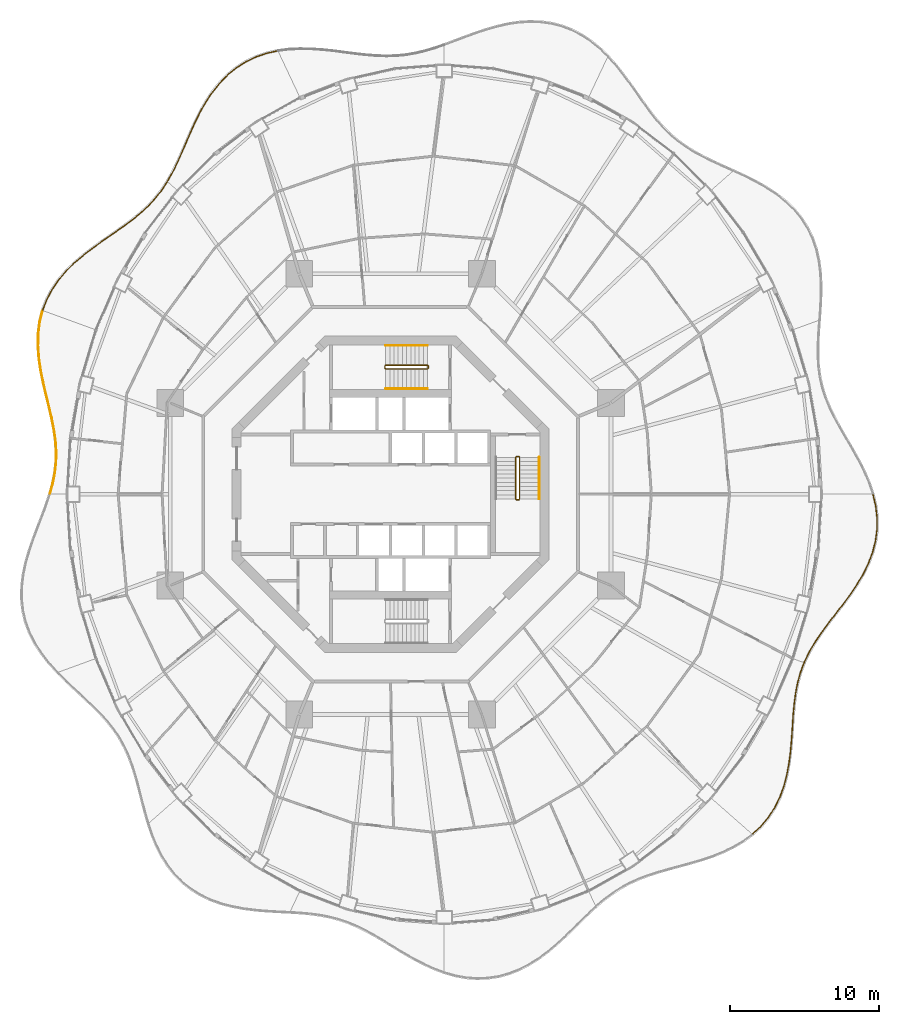
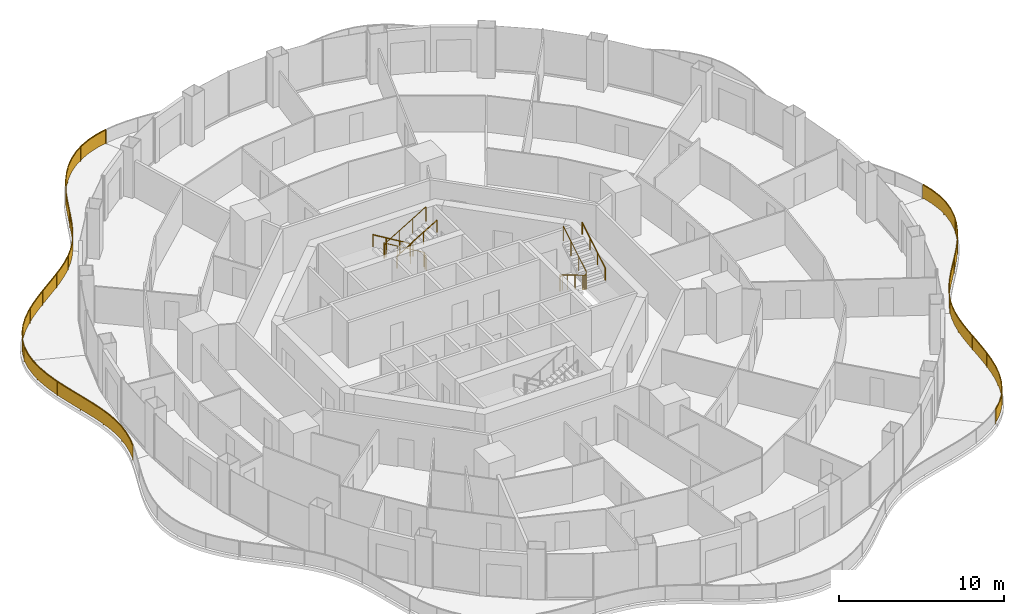
# One storey, part 18 of 19: 10 railings.
"""IFC4 building model written with IfcOpenShell, lengths in metres."""

from ifc_helpers import new_model, si_unit, direction, frame, origin, origin_2d, place, context, subcontext, project, spatial, polyline, rectangle, circle, outline, extrude, material, type_object, element, save


model = new_model("IFC4")

# Units and contexts
model_context = context("Model", 3, precision=1e-05, world=origin(), true_north=direction((0.0, 1.0)))
body_context = subcontext(model_context, "Body", "Model", "MODEL_VIEW")
ifc_project = project(units=[si_unit("LENGTHUNIT", "METRE"), si_unit("AREAUNIT", "SQUARE_METRE"), si_unit("VOLUMEUNIT", "CUBIC_METRE"), si_unit("PLANEANGLEUNIT", "RADIAN"), si_unit("MASSUNIT", "GRAM", prefix="KILO")], contexts=[model_context])

# Site, building, storey
site_placement = place(None, origin())
site = spatial("IfcSite", under=ifc_project, at=site_placement, CompositionType="ELEMENT")
building_placement = place(site_placement, origin())
building = spatial("IfcBuilding", under=site, at=building_placement, Name="Nagisa Residences", CompositionType="ELEMENT")
storey_placement = place(building_placement, frame((0.0, 0.0, 202.89990234375)))
storey = spatial("IfcBuildingStorey", under=building, at=storey_placement, Name="L51", CompositionType="ELEMENT", Elevation=202.89990234375)

# Railings
ifc_material_1 = material(Name="Stainless steel 316", Category="steel")
railing_type_1 = type_object("IfcRailingType", Name="BALCONY GUARD 1100", PredefinedType="BALUSTRADE", material=ifc_material_1)
railing_1_placement = place(storey_placement, frame((-7.593505859375, 29.734619140625, 0.0)))
element("IfcRailing", 1, at=railing_1_placement, inside=storey, type_object=railing_type_1, Name="guard:L51:bal05-0", PredefinedType="BALUSTRADE", context=body_context, shape_type="SweptSolid", body=[
    extrude(outline(polyline([(-0.698486328125, -0.181640625), (0.00537109375, -0.0244140625), (-0.00537109375, 0.0244140625), (-0.712158203125, -0.13330078125), (-1.434814453125, -0.380615234375), (-2.118896484375, -0.70703125), (-2.758056640625, -1.111572265625), (-3.345703125, -1.58837890625), (-3.871337890625, -2.125), (-4.3564453125, -2.726806640625), (-4.7919921875, -3.37451171875), (-5.182373046875, -4.0556640625), (-5.535400390625, -4.7578125), (-5.8466796875, -5.457275390625), (-6.151611328125, -6.16259765625), (-6.44873046875, -6.853515625), (-6.749267578125, -7.520263671875), (-7.064453125, -8.15673828125), (-7.38232421875, -8.721923828125), (-7.3388671875, -8.746337890625), (-7.02001953125, -8.18017578125), (-6.703857421875, -7.541748046875), (-6.40283203125, -6.87353515625), (-6.105712890625, -6.1826171875), (-5.80078125, -5.477294921875), (-5.489990234375, -4.779296875), (-5.138427734375, -4.07958984375), (-4.74951171875, -3.40087890625), (-4.31591796875, -2.756591796875), (-3.833740234375, -2.158203125), (-3.31201171875, -1.62548828125), (-2.728759765625, -1.152099609375), (-2.094482421875, -0.7509765625), (-1.415771484375, -0.427001953125), (-0.698486328125, -0.181640625)])), frame((0.0, 0.0, 1.050048828125)), (0.0, 0.0, 1.0), 0.050048828125),
    extrude(outline(polyline([(-0.703369140625, -0.164306640625), (0.00146484375, -0.0068359375), (-0.00146484375, 0.0068359375), (-0.707275390625, -0.150634765625), (-1.427978515625, -0.397216796875), (-2.110107421875, -0.722900390625), (-2.74755859375, -1.126220703125), (-3.33349609375, -1.601806640625), (-3.857666015625, -2.136962890625), (-4.341796875, -2.737548828125), (-4.776611328125, -3.384033203125), (-5.16650390625, -4.064208984375), (-5.51904296875, -4.765625), (-5.830078125, -5.46435546875), (-6.135009765625, -6.169921875), (-6.43212890625, -6.860595703125), (-6.73291015625, -7.528076171875), (-7.04833984375, -8.165283203125), (-7.36669921875, -8.730712890625), (-7.3544921875, -8.737548828125), (-7.0361328125, -8.171630859375), (-6.72021484375, -7.533935546875), (-6.41943359375, -6.866455078125), (-6.122314453125, -6.17529296875), (-5.8173828125, -5.47021484375), (-5.50634765625, -4.771484375), (-5.154296875, -4.071044921875), (-4.764892578125, -3.391357421875), (-4.33056640625, -2.745849609375), (-3.847412109375, -2.146240234375), (-3.32421875, -1.612060546875), (-2.7392578125, -1.137451171875), (-2.103271484375, -0.735107421875), (-1.422607421875, -0.410400390625), (-0.703369140625, -0.164306640625)])), frame((0.0, 0.0, 0.06005859375)), (0.0, 0.0, 1.0), 0.989990234375),
    extrude(rectangle(XDim=0.0400390625, YDim=0.0400390625, at=origin_2d()), origin(), (0.0, 0.0, 1.0), 1.050048828125),
    extrude(rectangle(XDim=0.0400390625, YDim=0.0400390625, at=origin_2d()), frame((-2.2412109375, -0.814208984375, 0.0)), (0.0, 0.0, 1.0), 1.050048828125),
    extrude(rectangle(XDim=0.0400390625, YDim=0.0400390625, at=origin_2d()), frame((-4.041748046875, -2.376220703125, 0.0)), (0.0, 0.0, 1.0), 1.050048828125),
    extrude(rectangle(XDim=0.0400390625, YDim=0.0400390625, at=origin_2d()), frame((-5.324951171875, -4.39501953125, 0.0)), (0.0, 0.0, 1.0), 1.050048828125),
    extrude(rectangle(XDim=0.0400390625, YDim=0.0400390625, at=origin_2d()), frame((-6.30517578125, -6.5830078125, 0.0)), (0.0, 0.0, 1.0), 1.050048828125),
    extrude(rectangle(XDim=0.0400390625, YDim=0.0400390625, at=origin_2d()), frame((-7.360595703125, -8.734130859375, 0.0)), (0.0, 0.0, 1.0), 1.050048828125),
])
railing_2_placement = place(storey_placement, frame((-14.9892578125, 20.939697265625, 0.0)))
element("IfcRailing", 2, at=railing_2_placement, inside=storey, type_object=railing_type_1, Name="guard:L51:bal06-0", PredefinedType="BALUSTRADE", context=body_context, shape_type="SweptSolid", body=[
    extrude(outline(polyline([(-0.347900390625, -0.572265625), (0.02099609375, -0.013671875), (-0.02099609375, 0.013671875), (-0.388427734375, -0.54296875), (-0.822021484375, -1.09521484375), (-1.302490234375, -1.611328125), (-1.83056640625, -2.097900390625), (-2.4033203125, -2.562744140625), (-3.005859375, -3.002197265625), (-3.645751953125, -3.451171875), (-4.30224609375, -3.9072265625), (-4.96142578125, -4.380126953125), (-5.60693359375, -4.877685546875), (-6.216796875, -5.39404296875), (-6.78857421875, -5.960205078125), (-7.301513671875, -6.566162109375), (-7.74267578125, -7.2119140625), (-8.103759765625, -7.896240234375), (-8.361328125, -8.5712890625), (-8.314453125, -8.58935546875), (-8.057861328125, -7.916748046875), (-7.69970703125, -7.23779296875), (-7.261474609375, -6.596435546875), (-6.751953125, -5.994384765625), (-6.18310546875, -5.43115234375), (-5.57568359375, -4.916748046875), (-4.931640625, -4.420166015625), (-4.2734375, -3.9482421875), (-3.616943359375, -3.4921875), (-2.9765625, -3.042724609375), (-2.37255859375, -2.602294921875), (-1.7978515625, -2.135986328125), (-1.267333984375, -1.64697265625), (-0.783935546875, -1.1279296875), (-0.347900390625, -0.572265625)])), frame((0.0, 0.0, 1.050048828125)), (0.0, 0.0, 1.0), 0.050048828125),
    extrude(outline(polyline([(-0.362548828125, -0.561767578125), (0.005859375, -0.00390625), (-0.005859375, 0.00390625), (-0.373779296875, -0.553466796875), (-0.808349609375, -1.10693359375), (-1.289794921875, -1.624267578125), (-1.81884765625, -2.111572265625), (-2.39208984375, -2.576904296875), (-2.995361328125, -3.016845703125), (-3.63525390625, -3.4658203125), (-4.2919921875, -3.922119140625), (-4.95068359375, -4.39453125), (-5.595703125, -4.891845703125), (-6.20458984375, -5.407470703125), (-6.775390625, -5.97265625), (-7.287109375, -6.5771484375), (-7.727294921875, -7.22119140625), (-8.087158203125, -7.903564453125), (-8.344482421875, -8.577880859375), (-8.331298828125, -8.582763671875), (-8.074462890625, -7.909423828125), (-7.715087890625, -7.228515625), (-7.27587890625, -6.58544921875), (-6.76513671875, -5.98193359375), (-6.1953125, -5.417724609375), (-5.5869140625, -4.902587890625), (-4.9423828125, -4.40576171875), (-4.28369140625, -3.933349609375), (-3.62744140625, -3.4775390625), (-2.987060546875, -3.028076171875), (-2.3837890625, -2.588134765625), (-1.8095703125, -2.122314453125), (-1.280029296875, -1.634033203125), (-0.797607421875, -1.1162109375), (-0.362548828125, -0.561767578125)])), frame((0.0, 0.0, 0.06005859375)), (0.0, 0.0, 1.0), 0.989990234375),
    extrude(rectangle(XDim=0.0400390625, YDim=0.0400390625, at=origin_2d()), origin(), (0.0, 0.0, 1.0), 1.050048828125),
    extrude(rectangle(XDim=0.0400390625, YDim=0.0400390625, at=origin_2d()), frame((-1.248046875, -1.589599609375, 0.0)), (0.0, 0.0, 1.0), 1.050048828125),
    extrude(rectangle(XDim=0.0400390625, YDim=0.0400390625, at=origin_2d()), frame((-2.802490234375, -2.884765625, 0.0)), (0.0, 0.0, 1.0), 1.050048828125),
    extrude(rectangle(XDim=0.0400390625, YDim=0.0400390625, at=origin_2d()), frame((-4.458984375, -4.050537109375, 0.0)), (0.0, 0.0, 1.0), 1.050048828125),
    extrude(rectangle(XDim=0.0400390625, YDim=0.0400390625, at=origin_2d()), frame((-6.057861328125, -5.29248046875, 0.0)), (0.0, 0.0, 1.0), 1.050048828125),
    extrude(rectangle(XDim=0.0400390625, YDim=0.0400390625, at=origin_2d()), frame((-7.420166015625, -6.7841796875, 0.0)), (0.0, 0.0, 1.0), 1.050048828125),
    extrude(rectangle(XDim=0.0400390625, YDim=0.0400390625, at=origin_2d()), frame((-8.337890625, -8.580322265625, 0.0)), (0.0, 0.0, 1.0), 1.050048828125),
])
railing_3_placement = place(storey_placement, frame((-23.35009765625, 12.285400390625, 0.0)))
element("IfcRailing", 3, at=railing_3_placement, inside=storey, type_object=railing_type_1, Name="guard:L51:bal07-0", PredefinedType="BALUSTRADE", context=body_context, shape_type="SweptSolid", body=[
    extrude(outline(polyline([(-0.154052734375, -0.73095703125), (0.0244140625, -0.005859375), (-0.0244140625, 0.005859375), (-0.203369140625, -0.7216796875), (-0.302490234375, -1.5205078125), (-0.316650390625, -2.3359375), (-0.25634765625, -3.16064453125), (-0.1357421875, -3.987060546875), (0.031005859375, -4.79443359375), (0.21923828125, -5.6044921875), (0.413330078125, -6.399658203125), (0.59423828125, -7.17822265625), (0.744873046875, -7.93896484375), (0.852294921875, -8.669921875), (0.90234375, -9.4013671875), (0.8896484375, -10.12353515625), (0.8115234375, -10.84130859375), (0.669189453125, -11.560302734375), (0.48046875, -12.244140625), (0.52880859375, -12.25732421875), (0.718017578125, -11.572021484375), (0.86083984375, -10.84912109375), (0.939453125, -10.12646484375), (0.95263671875, -9.39990234375), (0.902099609375, -8.66455078125), (0.794189453125, -7.9306640625), (0.64306640625, -7.16748046875), (0.462158203125, -6.387939453125), (0.26806640625, -5.5927734375), (0.079833984375, -4.78369140625), (-0.08642578125, -3.978271484375), (-0.20654296875, -3.1552734375), (-0.266357421875, -2.33447265625), (-0.252685546875, -1.52392578125), (-0.154052734375, -0.73095703125)])), frame((0.0, 0.0, 1.050048828125)), (0.0, 0.0, 1.0), 0.050048828125),
    extrude(outline(polyline([(-0.171875, -0.7275390625), (0.0068359375, -0.001708984375), (-0.0068359375, 0.001708984375), (-0.185546875, -0.72509765625), (-0.28466796875, -1.521728515625), (-0.298583984375, -2.33544921875), (-0.238525390625, -3.15869140625), (-0.117919921875, -3.98388671875), (0.048583984375, -4.79052734375), (0.23681640625, -5.600341796875), (0.430908203125, -6.3955078125), (0.61181640625, -7.17431640625), (0.7626953125, -7.93603515625), (0.8701171875, -8.66796875), (0.92041015625, -9.40087890625), (0.907470703125, -10.12451171875), (0.829345703125, -10.84423828125), (0.686767578125, -11.564453125), (0.497802734375, -12.248779296875), (0.511474609375, -12.252685546875), (0.700439453125, -11.56787109375), (0.843017578125, -10.84619140625), (0.921630859375, -10.12548828125), (0.9345703125, -9.400390625), (0.88427734375, -8.66650390625), (0.7763671875, -7.93359375), (0.62548828125, -7.17138671875), (0.444580078125, -6.39208984375), (0.25048828125, -5.596923828125), (0.062255859375, -4.78759765625), (-0.104248046875, -3.9814453125), (-0.224365234375, -3.1572265625), (-0.284423828125, -2.3349609375), (-0.2705078125, -1.522705078125), (-0.171875, -0.7275390625)])), frame((0.0, 0.0, 0.06005859375)), (0.0, 0.0, 1.0), 0.989990234375),
    extrude(rectangle(XDim=0.0400390625, YDim=0.0400390625, at=origin_2d()), origin(), (0.0, 0.0, 1.0), 1.050048828125),
    extrude(rectangle(XDim=0.0400390625, YDim=0.0400390625, at=origin_2d()), frame((-0.28662109375, -2.045654296875, 0.0)), (0.0, 0.0, 1.0), 1.050048828125),
    extrude(rectangle(XDim=0.0400390625, YDim=0.0400390625, at=origin_2d()), frame((-0.085693359375, -4.10546875, 0.0)), (0.0, 0.0, 1.0), 1.050048828125),
    extrude(rectangle(XDim=0.0400390625, YDim=0.0400390625, at=origin_2d()), frame((0.372802734375, -6.12744140625, 0.0)), (0.0, 0.0, 1.0), 1.050048828125),
    extrude(rectangle(XDim=0.0400390625, YDim=0.0400390625, at=origin_2d()), frame((0.802001953125, -8.155029296875, 0.0)), (0.0, 0.0, 1.0), 1.050048828125),
    extrude(rectangle(XDim=0.0400390625, YDim=0.0400390625, at=origin_2d()), frame((0.904052734375, -10.220458984375, 0.0)), (0.0, 0.0, 1.0), 1.050048828125),
    extrude(rectangle(XDim=0.0400390625, YDim=0.0400390625, at=origin_2d()), frame((0.504638671875, -12.250732421875, 0.0)), (0.0, 0.0, 1.0), 1.050048828125),
])
railing_4_placement = place(storey_placement, frame((24.2939453125, -22.7841796875, 0.0)))
element("IfcRailing", 4, at=railing_4_placement, inside=storey, type_object=railing_type_1, Name="guard:L51:bal14-0", PredefinedType="BALUSTRADE", context=body_context, shape_type="SweptSolid", body=[
    extrude(outline(polyline([(0.521240234375, 0.517578125), (-0.01708984375, 0.018310546875), (0.01708984375, -0.018310546875), (0.557373046875, 0.48291015625), (1.06005859375, 1.07958984375), (1.48681640625, 1.734130859375), (1.83642578125, 2.439208984375), (2.111328125, 3.185791015625), (2.310791015625, 3.953125), (2.45947265625, 4.752685546875), (2.562255859375, 5.562744140625), (2.6328125, 6.372314453125), (2.68701171875, 7.17236328125), (2.734130859375, 7.9423828125), (2.802490234375, 8.70263671875), (2.899658203125, 9.4365234375), (3.037841796875, 10.142822265625), (3.2255859375, 10.82275390625), (3.45458984375, 11.440673828125), (3.40771484375, 11.458251953125), (3.177734375, 10.83837890625), (2.989013671875, 10.154541015625), (2.850341796875, 9.44482421875), (2.752685546875, 8.7080078125), (2.684326171875, 7.9462890625), (2.63720703125, 7.17578125), (2.5830078125, 6.376220703125), (2.512451171875, 5.568115234375), (2.41015625, 4.760498046875), (2.261962890625, 3.9638671875), (2.0634765625, 3.200927734375), (1.79052734375, 2.459228515625), (1.443359375, 1.759033203125), (1.02001953125, 1.109375), (0.521240234375, 0.517578125)])), frame((0.0, 0.0, 1.050048828125)), (0.0, 0.0, 1.0), 0.050048828125),
    extrude(outline(polyline([(0.5341796875, 0.505126953125), (-0.004638671875, 0.005126953125), (0.004638671875, -0.005126953125), (0.54443359375, 0.495361328125), (1.045654296875, 1.09033203125), (1.47119140625, 1.7431640625), (1.81982421875, 2.446533203125), (2.093994140625, 3.191162109375), (2.293212890625, 3.95703125), (2.441650390625, 4.755615234375), (2.54443359375, 5.564697265625), (2.614990234375, 6.373779296875), (2.669189453125, 7.173583984375), (2.71630859375, 7.94384765625), (2.78466796875, 8.70458984375), (2.8818359375, 9.439453125), (3.020263671875, 10.14697265625), (3.208251953125, 10.828369140625), (3.437744140625, 11.447021484375), (3.424560546875, 11.451904296875), (3.195068359375, 10.832763671875), (3.006591796875, 10.150390625), (2.8681640625, 9.44189453125), (2.7705078125, 8.7060546875), (2.7021484375, 7.94482421875), (2.655029296875, 7.174560546875), (2.600830078125, 6.374755859375), (2.5302734375, 5.566162109375), (2.427978515625, 4.757568359375), (2.279541015625, 3.9599609375), (2.080810546875, 3.195556640625), (1.80712890625, 2.451904296875), (1.458984375, 1.75), (1.034423828125, 1.0986328125), (0.5341796875, 0.505126953125)])), frame((0.0, 0.0, 0.06005859375)), (0.0, 0.0, 1.0), 0.989990234375),
    extrude(rectangle(XDim=0.0400390625, YDim=0.0400390625, at=origin_2d()), origin(), (0.0, 0.0, 1.0), 1.050048828125),
    extrude(rectangle(XDim=0.0400390625, YDim=0.0400390625, at=origin_2d()), frame((1.330322265625, 1.539794921875, 0.0)), (0.0, 0.0, 1.0), 1.050048828125),
    extrude(rectangle(XDim=0.0400390625, YDim=0.0400390625, at=origin_2d()), frame((2.142822265625, 3.40673828125, 0.0)), (0.0, 0.0, 1.0), 1.050048828125),
    extrude(rectangle(XDim=0.0400390625, YDim=0.0400390625, at=origin_2d()), frame((2.51806640625, 5.41357421875, 0.0)), (0.0, 0.0, 1.0), 1.050048828125),
    extrude(rectangle(XDim=0.0400390625, YDim=0.0400390625, at=origin_2d()), frame((2.678955078125, 7.451416015625, 0.0)), (0.0, 0.0, 1.0), 1.050048828125),
    extrude(rectangle(XDim=0.0400390625, YDim=0.0400390625, at=origin_2d()), frame((2.883544921875, 9.484375, 0.0)), (0.0, 0.0, 1.0), 1.050048828125),
    extrude(rectangle(XDim=0.0400390625, YDim=0.0400390625, at=origin_2d()), frame((3.43115234375, 11.449462890625, 0.0)), (0.0, 0.0, 1.0), 1.050048828125),
])
railing_5_placement = place(storey_placement, frame((27.752197265625, -11.271484375, 0.0)))
element("IfcRailing", 5, at=railing_5_placement, inside=storey, type_object=railing_type_1, Name="guard:L51:bal15-0", PredefinedType="BALUSTRADE", context=body_context, shape_type="SweptSolid", body=[
    extrude(outline(polyline([(0.272216796875, 0.632568359375), (-0.022705078125, 0.0107421875), (0.022705078125, -0.0107421875), (0.316650390625, 0.609130859375), (0.686767578125, 1.251708984375), (1.109375, 1.886474609375), (1.573974609375, 2.521240234375), (2.066650390625, 3.162353515625), (2.567138671875, 3.802734375), (3.063720703125, 4.47412109375), (3.53369140625, 5.166015625), (3.958251953125, 5.880126953125), (4.32080078125, 6.616455078125), (4.6044921875, 7.35888671875), (4.801025390625, 8.1318359375), (4.90185546875, 8.91650390625), (4.904541015625, 9.70751953125), (4.810302734375, 10.4990234375), (4.635498046875, 11.23974609375), (4.586669921875, 11.22802734375), (4.760986328125, 10.490234375), (4.854248046875, 9.70458984375), (4.85205078125, 8.919921875), (4.751708984375, 8.14111328125), (4.556640625, 7.3740234375), (4.27490234375, 6.636474609375), (3.914306640625, 5.904052734375), (3.4912109375, 5.19287109375), (3.022705078125, 4.5029296875), (2.527099609375, 3.8330078125), (2.027099609375, 3.193115234375), (1.533935546875, 2.551513671875), (1.068359375, 1.915283203125), (0.644287109375, 1.278076171875), (0.272216796875, 0.632568359375)])), frame((0.0, 0.0, 1.050048828125)), (0.0, 0.0, 1.0), 0.050048828125),
    extrude(outline(polyline([(0.288330078125, 0.6240234375), (-0.00634765625, 0.0029296875), (0.00634765625, -0.0029296875), (0.300537109375, 0.61767578125), (0.67138671875, 1.26123046875), (1.0947265625, 1.89697265625), (1.5595703125, 2.5322265625), (2.052490234375, 3.17333984375), (2.552734375, 3.813720703125), (3.048828125, 4.484375), (3.518310546875, 5.17578125), (3.9423828125, 5.888671875), (4.30419921875, 6.623779296875), (4.587158203125, 7.3642578125), (4.783203125, 8.13525390625), (4.884033203125, 8.917724609375), (4.886474609375, 9.70654296875), (4.79248046875, 10.495849609375), (4.617919921875, 11.235595703125), (4.604248046875, 11.232177734375), (4.77880859375, 10.493408203125), (4.872314453125, 9.70556640625), (4.869873046875, 8.918701171875), (4.76953125, 8.1376953125), (4.573974609375, 7.36865234375), (4.29150390625, 6.629150390625), (3.93017578125, 5.8955078125), (3.506591796875, 5.18310546875), (3.03759765625, 4.49267578125), (2.54150390625, 3.822021484375), (2.041259765625, 3.18212890625), (1.54833984375, 2.54052734375), (1.0830078125, 1.90478515625), (0.65966796875, 1.2685546875), (0.288330078125, 0.6240234375)])), frame((0.0, 0.0, 0.06005859375)), (0.0, 0.0, 1.0), 0.989990234375),
    extrude(rectangle(XDim=0.0400390625, YDim=0.0400390625, at=origin_2d()), origin(), (0.0, 0.0, 1.0), 1.050048828125),
    extrude(rectangle(XDim=0.0400390625, YDim=0.0400390625, at=origin_2d()), frame((1.0400390625, 1.827392578125, 0.0)), (0.0, 0.0, 1.0), 1.050048828125),
    extrude(rectangle(XDim=0.0400390625, YDim=0.0400390625, at=origin_2d()), frame((2.306396484375, 3.509765625, 0.0)), (0.0, 0.0, 1.0), 1.050048828125),
    extrude(rectangle(XDim=0.0400390625, YDim=0.0400390625, at=origin_2d()), frame((3.535888671875, 5.21875, 0.0)), (0.0, 0.0, 1.0), 1.050048828125),
    extrude(rectangle(XDim=0.0400390625, YDim=0.0400390625, at=origin_2d()), frame((4.477783203125, 7.097412109375, 0.0)), (0.0, 0.0, 1.0), 1.050048828125),
    extrude(rectangle(XDim=0.0400390625, YDim=0.0400390625, at=origin_2d()), frame((4.877685546875, 9.153564453125, 0.0)), (0.0, 0.0, 1.0), 1.050048828125),
    extrude(rectangle(XDim=0.0400390625, YDim=0.0400390625, at=origin_2d()), frame((4.611083984375, 11.23388671875, 0.0)), (0.0, 0.0, 1.0), 1.050048828125),
])
ifc_material_2 = material(Name="Stainless steel", Category="steel")
railing_type_2 = type_object("IfcRailingType", Name="Stair guard 1100", PredefinedType="GUARDRAIL", material=ifc_material_2)
railing_6_placement = place(storey_placement, frame((8.599609375, 2.52490234375, 0.0)))
element("IfcRailing", 6, at=railing_6_placement, inside=storey, type_object=railing_type_2, Name="L51 ST-E stair guard 1", PredefinedType="GUARDRAIL", context=body_context, shape_type="SweptSolid", body=[
    extrude(circle(Radius=0.02392578125, at=origin_2d()), frame((0.0, 0.0, 1.076171875), z_axis=(-1.0, 0.0, 0.0), x_axis=(0.0, -1.0, 0.0)), (0.0, 0.0, 1.0), 0.14990234375),
    extrude(circle(Radius=0.02392578125, at=origin_2d()), frame((-0.14990234375, 0.0, 1.076171875), z_axis=(-0.27434429532, -0.273006030465, 0.922064485248), x_axis=(0.705375805398, -0.708833529934, 0.0)), (0.0, 0.0, 1.0), 0.182373046875),
    extrude(circle(Radius=0.02392578125, at=origin_2d()), frame((-0.199951171875, -0.0498046875, 1.244140625), z_axis=(0.0, -0.857242210791, 0.514913383045), x_axis=(1.0, 0.0, 0.0)), (0.0, 0.0, 1.0), 3.266357421875),
    extrude(circle(Radius=0.02392578125, at=origin_2d()), frame((-0.199951171875, -2.849853515625, 2.92626953125), z_axis=(0.707106781187, -0.707106781187, 0.0), x_axis=(0.707106781187, 0.707106781187, 0.0)), (0.0, 0.0, 1.0), 0.07080078125),
    extrude(circle(Radius=0.02392578125, at=origin_2d()), frame((-0.14990234375, -2.89990234375, 2.92626953125), z_axis=(1.0, 0.0, 0.0), x_axis=(0.0, 1.0, 0.0)), (0.0, 0.0, 1.0), 0.14990234375),
    extrude(circle(Radius=0.02392578125, at=origin_2d()), frame((0.0, -2.89990234375, 2.92626953125), z_axis=(0.274243871929, 0.274243871929, 0.92172696468), x_axis=(-0.707106781187, 0.707106781187, 0.0)), (0.0, 0.0, 1.0), 0.1826171875),
    extrude(circle(Radius=0.02392578125, at=origin_2d()), frame((0.050048828125, -2.849853515625, 3.09423828125), z_axis=(0.0, 0.857242210791, 0.514913383045), x_axis=(-1.0, 0.0, 0.0)), (0.0, 0.0, 1.0), 3.266357421875),
    extrude(circle(Radius=0.02099609375, at=origin_2d()), origin(), (0.0, 0.0, 1.0), 1.052001953125),
    extrude(circle(Radius=0.02099609375, at=origin_2d()), frame((-0.14990234375, 0.0, 0.0)), (0.0, 0.0, 1.0), 1.052001953125),
    extrude(circle(Radius=0.02099609375, at=origin_2d()), frame((-0.199951171875, -0.0498046875, 0.168212890625)), (0.0, 0.0, 1.0), 1.052001953125),
    extrude(circle(Radius=0.02099609375, at=origin_2d()), frame((-0.199951171875, -0.983154296875, 0.728759765625)), (0.0, 0.0, 1.0), 1.052001953125),
    extrude(circle(Radius=0.02099609375, at=origin_2d()), frame((-0.199951171875, -1.91650390625, 1.28955078125)), (0.0, 0.0, 1.0), 1.052001953125),
    extrude(circle(Radius=0.02099609375, at=origin_2d()), frame((-0.199951171875, -2.849853515625, 1.85009765625)), (0.0, 0.0, 1.0), 1.052001953125),
    extrude(circle(Radius=0.02099609375, at=origin_2d()), frame((-0.14990234375, -2.89990234375, 1.85009765625)), (0.0, 0.0, 1.0), 1.052001953125),
    extrude(circle(Radius=0.02099609375, at=origin_2d()), frame((0.0, -2.89990234375, 1.85009765625)), (0.0, 0.0, 1.0), 1.052001953125),
    extrude(circle(Radius=0.02099609375, at=origin_2d()), frame((0.050048828125, -2.849853515625, 2.018310546875)), (0.0, 0.0, 1.0), 1.052001953125),
    extrude(circle(Radius=0.02099609375, at=origin_2d()), frame((0.050048828125, -1.91650390625, 2.578857421875)), (0.0, 0.0, 1.0), 1.052001953125),
    extrude(circle(Radius=0.02099609375, at=origin_2d()), frame((0.050048828125, -0.983154296875, 3.1396484375)), (0.0, 0.0, 1.0), 1.052001953125),
    extrude(circle(Radius=0.02099609375, at=origin_2d()), frame((0.050048828125, -0.0498046875, 3.7001953125)), (0.0, 0.0, 1.0), 1.052001953125),
])
railing_7_placement = place(storey_placement, frame((2.52490234375, 8.44970703125, 0.0)))
element("IfcRailing", 7, at=railing_7_placement, inside=storey, type_object=railing_type_2, Name="L51 ST-N stair guard 1", PredefinedType="GUARDRAIL", context=body_context, shape_type="SweptSolid", body=[
    extrude(circle(Radius=0.02392578125, at=origin_2d()), frame((0.0, 0.0, 1.076171875), z_axis=(0.0, 1.0, 0.0), x_axis=(-1.0, 0.0, 0.0)), (0.0, 0.0, 1.0), 0.14990234375),
    extrude(circle(Radius=0.02392578125, at=origin_2d()), frame((0.0, 0.14990234375, 1.076171875), z_axis=(-0.273006030465, 0.27434429532, 0.922064485248), x_axis=(-0.708833529934, -0.705375805398, 0.0)), (0.0, 0.0, 1.0), 0.182373046875),
    extrude(circle(Radius=0.02392578125, at=origin_2d()), frame((-0.0498046875, 0.199951171875, 1.244140625), z_axis=(-0.857242210791, 0.0, 0.514913383045), x_axis=(0.0, -1.0, 0.0)), (0.0, 0.0, 1.0), 3.266357421875),
    extrude(circle(Radius=0.02392578125, at=origin_2d()), frame((-2.849853515625, 0.199951171875, 2.92626953125), z_axis=(-0.707106781187, -0.707106781187, 0.0), x_axis=(0.707106781187, -0.707106781187, 0.0)), (0.0, 0.0, 1.0), 0.07080078125),
    extrude(circle(Radius=0.02392578125, at=origin_2d()), frame((-2.89990234375, 0.14990234375, 2.92626953125), z_axis=(0.0, -1.0, 0.0), x_axis=(1.0, 0.0, 0.0)), (0.0, 0.0, 1.0), 0.14990234375),
    extrude(circle(Radius=0.02392578125, at=origin_2d()), frame((-2.89990234375, 0.0, 2.92626953125), z_axis=(0.274243871929, -0.274243871929, 0.92172696468), x_axis=(0.707106781187, 0.707106781187, 0.0)), (0.0, 0.0, 1.0), 0.1826171875),
    extrude(circle(Radius=0.02392578125, at=origin_2d()), frame((-2.849853515625, -0.050048828125, 3.09423828125), z_axis=(0.857242210791, 0.0, 0.514913383045), x_axis=(0.0, 1.0, 0.0)), (0.0, 0.0, 1.0), 3.266357421875),
    extrude(circle(Radius=0.02099609375, at=origin_2d()), origin(), (0.0, 0.0, 1.0), 1.052001953125),
    extrude(circle(Radius=0.02099609375, at=origin_2d()), frame((0.0, 0.14990234375, 0.0)), (0.0, 0.0, 1.0), 1.052001953125),
    extrude(circle(Radius=0.02099609375, at=origin_2d()), frame((-0.0498046875, 0.199951171875, 0.168212890625)), (0.0, 0.0, 1.0), 1.052001953125),
    extrude(circle(Radius=0.02099609375, at=origin_2d()), frame((-0.983154296875, 0.199951171875, 0.728759765625)), (0.0, 0.0, 1.0), 1.052001953125),
    extrude(circle(Radius=0.02099609375, at=origin_2d()), frame((-1.91650390625, 0.199951171875, 1.28955078125)), (0.0, 0.0, 1.0), 1.052001953125),
    extrude(circle(Radius=0.02099609375, at=origin_2d()), frame((-2.849853515625, 0.199951171875, 1.85009765625)), (0.0, 0.0, 1.0), 1.052001953125),
    extrude(circle(Radius=0.02099609375, at=origin_2d()), frame((-2.89990234375, 0.14990234375, 1.85009765625)), (0.0, 0.0, 1.0), 1.052001953125),
    extrude(circle(Radius=0.02099609375, at=origin_2d()), frame((-2.89990234375, 0.0, 1.85009765625)), (0.0, 0.0, 1.0), 1.052001953125),
    extrude(circle(Radius=0.02099609375, at=origin_2d()), frame((-2.849853515625, -0.050048828125, 2.018310546875)), (0.0, 0.0, 1.0), 1.052001953125),
    extrude(circle(Radius=0.02099609375, at=origin_2d()), frame((-1.91650390625, -0.050048828125, 2.578857421875)), (0.0, 0.0, 1.0), 1.052001953125),
    extrude(circle(Radius=0.02099609375, at=origin_2d()), frame((-0.983154296875, -0.050048828125, 3.1396484375)), (0.0, 0.0, 1.0), 1.052001953125),
    extrude(circle(Radius=0.02099609375, at=origin_2d()), frame((-0.0498046875, -0.050048828125, 3.7001953125)), (0.0, 0.0, 1.0), 1.052001953125),
])
ifc_material_3 = material(Name="Stainless steel", Category="steel")
railing_type_3 = type_object("IfcRailingType", Name="Stair handrail 900", PredefinedType="HANDRAIL", material=ifc_material_3)
railing_8_placement = place(storey_placement, frame((9.974609375, -0.324951171875, 2.018310546875)))
element("IfcRailing", 8, at=railing_8_placement, inside=storey, type_object=railing_type_3, Name="L51 ST-E stair handrail 2", PredefinedType="HANDRAIL", context=body_context, shape_type="SweptSolid", body=[
    extrude(circle(Radius=0.02392578125, at=origin_2d()), frame((0.0, 0.0, 0.8759765625), z_axis=(0.0, 0.857242210791, 0.514913383045), x_axis=(-1.0, 0.0, 0.0)), (0.0, 0.0, 1.0), 3.266357421875),
    extrude(circle(Radius=0.02099609375, at=origin_2d()), origin(), (0.0, 0.0, 1.0), 0.851806640625),
    extrude(circle(Radius=0.02099609375, at=origin_2d()), frame((0.0, 0.933349609375, 0.560546875)), (0.0, 0.0, 1.0), 0.851806640625),
    extrude(circle(Radius=0.02099609375, at=origin_2d()), frame((0.0, 1.86669921875, 1.121337890625)), (0.0, 0.0, 1.0), 0.851806640625),
    extrude(circle(Radius=0.02099609375, at=origin_2d()), frame((0.0, 2.800048828125, 1.681884765625)), (0.0, 0.0, 1.0), 0.851806640625),
])
railing_9_placement = place(storey_placement, frame((2.47509765625, 9.974609375, 0.168212890625)))
element("IfcRailing", 9, at=railing_9_placement, inside=storey, type_object=railing_type_3, Name="L51 ST-N stair handrail 1", PredefinedType="HANDRAIL", context=body_context, shape_type="SweptSolid", body=[
    extrude(circle(Radius=0.02392578125, at=origin_2d()), frame((0.0, 0.0, 0.8759765625), z_axis=(-0.857242210791, 0.0, 0.514913383045), x_axis=(0.0, -1.0, 0.0)), (0.0, 0.0, 1.0), 3.266357421875),
    extrude(circle(Radius=0.02099609375, at=origin_2d()), origin(), (0.0, 0.0, 1.0), 0.851806640625),
    extrude(circle(Radius=0.02099609375, at=origin_2d()), frame((-0.933349609375, 0.0, 0.560546875)), (0.0, 0.0, 1.0), 0.851806640625),
    extrude(circle(Radius=0.02099609375, at=origin_2d()), frame((-1.86669921875, 0.0, 1.121337890625)), (0.0, 0.0, 1.0), 0.851806640625),
    extrude(circle(Radius=0.02099609375, at=origin_2d()), frame((-2.800048828125, 0.0, 1.681884765625)), (0.0, 0.0, 1.0), 0.851806640625),
])
railing_10_placement = place(storey_placement, frame((-0.324951171875, 7.07470703125, 2.018310546875)))
element("IfcRailing", 10, at=railing_10_placement, inside=storey, type_object=railing_type_3, Name="L51 ST-N stair handrail 2", PredefinedType="HANDRAIL", context=body_context, shape_type="SweptSolid", body=[
    extrude(circle(Radius=0.02392578125, at=origin_2d()), frame((0.0, 0.0, 0.8759765625), z_axis=(0.857242210791, 0.0, 0.514913383045), x_axis=(0.0, 1.0, 0.0)), (0.0, 0.0, 1.0), 3.266357421875),
    extrude(circle(Radius=0.02099609375, at=origin_2d()), origin(), (0.0, 0.0, 1.0), 0.851806640625),
    extrude(circle(Radius=0.02099609375, at=origin_2d()), frame((0.933349609375, 0.0, 0.560546875)), (0.0, 0.0, 1.0), 0.851806640625),
    extrude(circle(Radius=0.02099609375, at=origin_2d()), frame((1.86669921875, 0.0, 1.121337890625)), (0.0, 0.0, 1.0), 0.851806640625),
    extrude(circle(Radius=0.02099609375, at=origin_2d()), frame((2.800048828125, 0.0, 1.681884765625)), (0.0, 0.0, 1.0), 0.851806640625),
])

save(model, "model.ifc")
